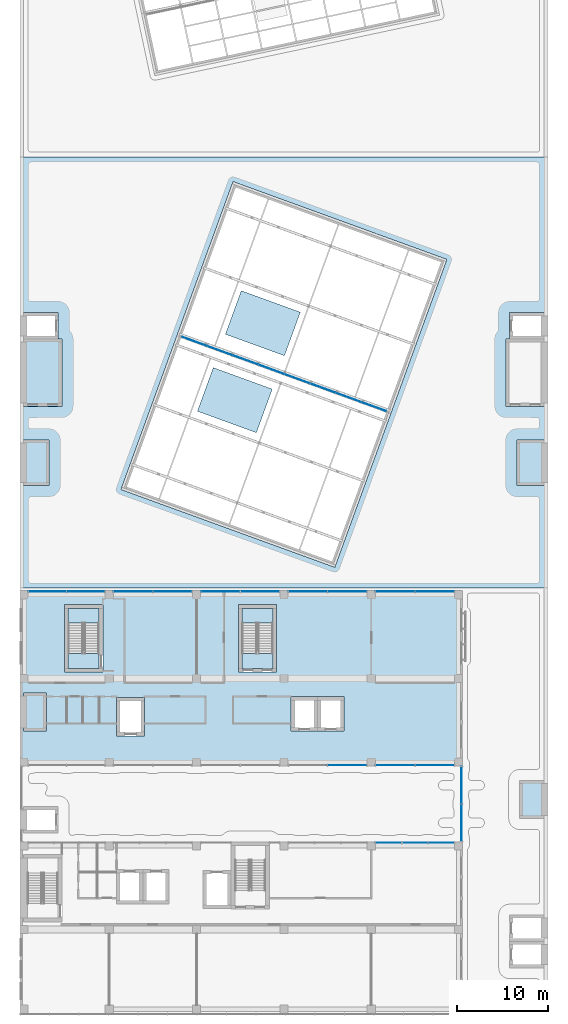
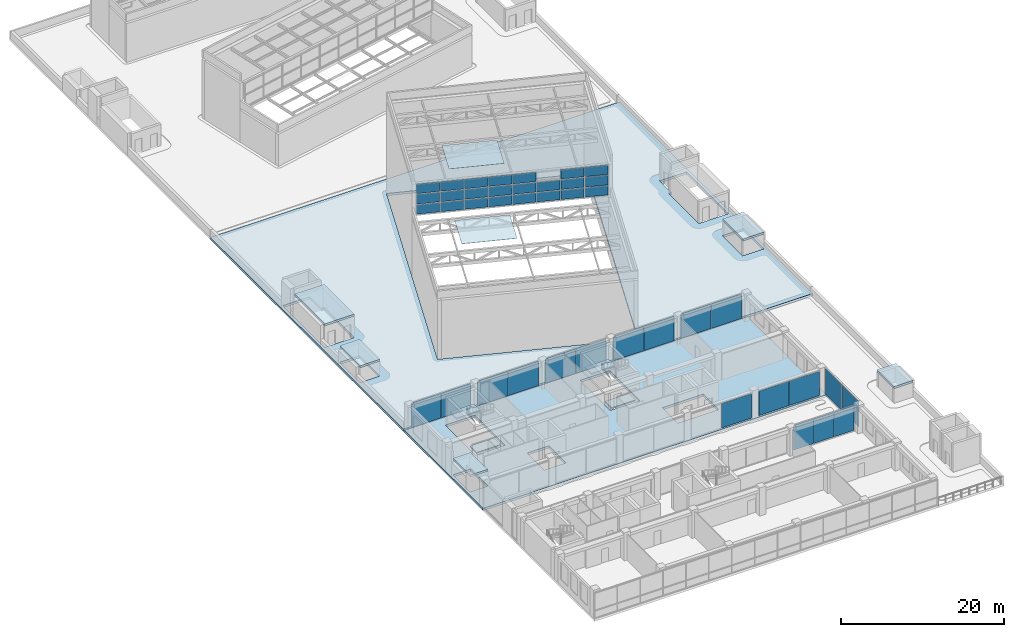
# One storey, part 56 of 72: 43 plates, 11 slabs, 12 elements without a shape of their own.
"""IFC4 building model written with IfcOpenShell, lengths in metres."""

from ifc_helpers import new_model, si_unit, direction, frame, origin, origin_2d, place, context, subcontext, project, spatial, polyline, rectangle, outline, extrude, material, layer, layer_set, type_object, element, aggregate, save


model = new_model("IFC4")

# Units and contexts
model_context = context("Model", 3, precision=1e-05, world=origin(), true_north=direction((0.0, 1.0)))
body_context = subcontext(model_context, "Body", "Model", "MODEL_VIEW")
ifc_project = project(units=[si_unit("LENGTHUNIT", "METRE"), si_unit("AREAUNIT", "SQUARE_METRE"), si_unit("VOLUMEUNIT", "CUBIC_METRE"), si_unit("PLANEANGLEUNIT", "RADIAN"), si_unit("MASSUNIT", "GRAM", prefix="KILO")], contexts=[model_context])

# Site, building, storey
site_placement = place(None, origin())
site = spatial("IfcSite", under=ifc_project, at=site_placement, CompositionType="ELEMENT")
building_placement = place(site_placement, origin())
building = spatial("IfcBuilding", under=site, at=building_placement, Name="Nzadi Deep Aquarium and Research Tower", CompositionType="ELEMENT")
storey_placement = place(building_placement, frame((0.0, 0.0, 31.89990234375)))
storey = spatial("IfcBuildingStorey", under=building, at=storey_placement, Name="L05", CompositionType="ELEMENT", Elevation=31.89990234375)

# Curtain wall, plates
ifc_material_1 = material(Name="Aluminium glazing frame tall", Category="aluminium")
ifc_layer_1 = layer(ifc_material_1, 0.199951171875)
ifc_layer_set_1 = layer_set([ifc_layer_1], Name="Aluminium glazing frame tall")
curtain_wall_type_1 = type_object("IfcCurtainWallType", Name="Curtain wall Clerestory Tall 200", PredefinedType="NOTDEFINED", material=ifc_layer_set_1)
curtain_wall_1_placement = place(storey_placement, origin())
curtain_wall_1 = element("IfcCurtainWall", 1, at=curtain_wall_1_placement, inside=storey, type_object=curtain_wall_type_1, Name="Prism clerestory glazing", PredefinedType="NOTDEFINED")
ifc_material_2 = material(Name="Glass, clear low-iron", Category="glass")
ifc_layer_2 = layer(ifc_material_2, 0.035888671875)
ifc_layer_set_2 = layer_set([ifc_layer_2], Name="Glass, clear low-iron")
plate_type_1 = type_object("IfcPlateType", Name="Glazing panel 36 Clerestory Tall", PredefinedType="CURTAIN_PANEL", material=ifc_layer_set_2)
plate_1_placement = place(storey_placement, frame((18.96923828125, 73.831298828125, 9.22021484375), z_axis=(0.0, 0.0, 1.0), x_axis=(0.939692620786, -0.342020143326, 0.0)))
plate_1 = element("IfcPlate", 2, at=plate_1_placement, type_object=plate_type_1, Name="CW257 panel 1.1", PredefinedType="CURTAIN_PANEL", context=body_context, shape_type="SweptSolid", body=[
    extrude(rectangle(XDim=2.8798828125, YDim=0.035888671875, at=origin_2d()), origin(), (0.0, 0.0, 1.0), 1.386962890625),
])
plate_2_placement = place(storey_placement, frame((18.96923828125, 73.831298828125, 10.72705078125), z_axis=(0.0, 0.0, 1.0), x_axis=(0.939692620786, -0.342020143326, 0.0)))
plate_2 = element("IfcPlate", 3, at=plate_2_placement, type_object=plate_type_1, Name="CW257 panel 1.2", PredefinedType="CURTAIN_PANEL", context=body_context, shape_type="SweptSolid", body=[
    extrude(rectangle(XDim=2.8798828125, YDim=0.035888671875, at=origin_2d()), origin(), (0.0, 0.0, 1.0), 1.446044921875),
])
plate_3_placement = place(storey_placement, frame((18.96923828125, 73.831298828125, 12.29296875), z_axis=(0.0, 0.0, 1.0), x_axis=(0.939692620786, -0.342020143326, 0.0)))
plate_3 = element("IfcPlate", 4, at=plate_3_placement, type_object=plate_type_1, Name="CW257 panel 1.3", PredefinedType="CURTAIN_PANEL", context=body_context, shape_type="SweptSolid", body=[
    extrude(rectangle(XDim=2.8798828125, YDim=0.035888671875, at=origin_2d()), origin(), (0.0, 0.0, 1.0), 1.386962890625),
])
plate_4_placement = place(storey_placement, frame((21.769287109375, 72.812255859375, 9.22021484375), z_axis=(0.0, 0.0, 1.0), x_axis=(0.939692620786, -0.342020143326, 0.0)))
plate_4 = element("IfcPlate", 5, at=plate_4_placement, type_object=plate_type_1, Name="CW257 panel 2.1", PredefinedType="CURTAIN_PANEL", context=body_context, shape_type="SweptSolid", body=[
    extrude(rectangle(XDim=2.919921875, YDim=0.035888671875, at=origin_2d()), origin(), (0.0, 0.0, 1.0), 1.386962890625),
])
plate_5_placement = place(storey_placement, frame((21.769287109375, 72.812255859375, 10.72705078125), z_axis=(0.0, 0.0, 1.0), x_axis=(0.939692620786, -0.342020143326, 0.0)))
plate_5 = element("IfcPlate", 6, at=plate_5_placement, type_object=plate_type_1, Name="CW257 panel 2.2", PredefinedType="CURTAIN_PANEL", context=body_context, shape_type="SweptSolid", body=[
    extrude(rectangle(XDim=2.919921875, YDim=0.035888671875, at=origin_2d()), origin(), (0.0, 0.0, 1.0), 1.446044921875),
])
plate_6_placement = place(storey_placement, frame((21.769287109375, 72.812255859375, 12.29296875), z_axis=(0.0, 0.0, 1.0), x_axis=(0.939692620786, -0.342020143326, 0.0)))
plate_6 = element("IfcPlate", 7, at=plate_6_placement, type_object=plate_type_1, Name="CW257 panel 2.3", PredefinedType="CURTAIN_PANEL", context=body_context, shape_type="SweptSolid", body=[
    extrude(rectangle(XDim=2.919921875, YDim=0.035888671875, at=origin_2d()), origin(), (0.0, 0.0, 1.0), 1.386962890625),
])
plate_7_placement = place(storey_placement, frame((24.58837890625, 71.7861328125, 9.22021484375), z_axis=(0.0, 0.0, 1.0), x_axis=(0.939692620786, -0.342020143326, 0.0)))
plate_7 = element("IfcPlate", 8, at=plate_7_placement, type_object=plate_type_1, Name="CW257 panel 3.1", PredefinedType="CURTAIN_PANEL", context=body_context, shape_type="SweptSolid", body=[
    extrude(rectangle(XDim=2.919921875, YDim=0.035888671875, at=origin_2d()), origin(), (0.0, 0.0, 1.0), 1.386962890625),
])
plate_8_placement = place(storey_placement, frame((24.58837890625, 71.7861328125, 10.72705078125), z_axis=(0.0, 0.0, 1.0), x_axis=(0.939692620786, -0.342020143326, 0.0)))
plate_8 = element("IfcPlate", 9, at=plate_8_placement, type_object=plate_type_1, Name="CW257 panel 3.2", PredefinedType="CURTAIN_PANEL", context=body_context, shape_type="SweptSolid", body=[
    extrude(rectangle(XDim=2.919921875, YDim=0.035888671875, at=origin_2d()), origin(), (0.0, 0.0, 1.0), 1.446044921875),
])
plate_9_placement = place(storey_placement, frame((24.58837890625, 71.7861328125, 12.29296875), z_axis=(0.0, 0.0, 1.0), x_axis=(0.939692620786, -0.342020143326, 0.0)))
plate_9 = element("IfcPlate", 10, at=plate_9_placement, type_object=plate_type_1, Name="CW257 panel 3.3", PredefinedType="CURTAIN_PANEL", context=body_context, shape_type="SweptSolid", body=[
    extrude(rectangle(XDim=2.919921875, YDim=0.035888671875, at=origin_2d()), origin(), (0.0, 0.0, 1.0), 1.386962890625),
])
plate_10_placement = place(storey_placement, frame((27.407470703125, 70.760009765625, 9.22021484375), z_axis=(0.0, 0.0, 1.0), x_axis=(0.939692620786, -0.342020143326, 0.0)))
plate_10 = element("IfcPlate", 11, at=plate_10_placement, type_object=plate_type_1, Name="CW257 panel 4.1", PredefinedType="CURTAIN_PANEL", context=body_context, shape_type="SweptSolid", body=[
    extrude(rectangle(XDim=2.919921875, YDim=0.035888671875, at=origin_2d()), origin(), (0.0, 0.0, 1.0), 1.386962890625),
])
plate_11_placement = place(storey_placement, frame((27.407470703125, 70.760009765625, 10.72705078125), z_axis=(0.0, 0.0, 1.0), x_axis=(0.939692620786, -0.342020143326, 0.0)))
plate_11 = element("IfcPlate", 12, at=plate_11_placement, type_object=plate_type_1, Name="CW257 panel 4.2", PredefinedType="CURTAIN_PANEL", context=body_context, shape_type="SweptSolid", body=[
    extrude(rectangle(XDim=2.919921875, YDim=0.035888671875, at=origin_2d()), origin(), (0.0, 0.0, 1.0), 1.446044921875),
])
plate_12_placement = place(storey_placement, frame((27.407470703125, 70.760009765625, 12.29296875), z_axis=(0.0, 0.0, 1.0), x_axis=(0.939692620786, -0.342020143326, 0.0)))
plate_12 = element("IfcPlate", 13, at=plate_12_placement, type_object=plate_type_1, Name="CW257 panel 4.3", PredefinedType="CURTAIN_PANEL", context=body_context, shape_type="SweptSolid", body=[
    extrude(rectangle(XDim=2.919921875, YDim=0.035888671875, at=origin_2d()), origin(), (0.0, 0.0, 1.0), 1.386962890625),
])
plate_13_placement = place(storey_placement, frame((30.2265625, 69.73388671875, 9.22021484375), z_axis=(0.0, 0.0, 1.0), x_axis=(0.939692620786, -0.342020143326, 0.0)))
plate_13 = element("IfcPlate", 14, at=plate_13_placement, type_object=plate_type_1, Name="CW257 panel 5.1", PredefinedType="CURTAIN_PANEL", context=body_context, shape_type="SweptSolid", body=[
    extrude(rectangle(XDim=2.919921875, YDim=0.035888671875, at=origin_2d()), origin(), (0.0, 0.0, 1.0), 1.386962890625),
])
plate_14_placement = place(storey_placement, frame((30.2265625, 69.73388671875, 10.72705078125), z_axis=(0.0, 0.0, 1.0), x_axis=(0.939692620786, -0.342020143326, 0.0)))
plate_14 = element("IfcPlate", 15, at=plate_14_placement, type_object=plate_type_1, Name="CW257 panel 5.2", PredefinedType="CURTAIN_PANEL", context=body_context, shape_type="SweptSolid", body=[
    extrude(rectangle(XDim=2.919921875, YDim=0.035888671875, at=origin_2d()), origin(), (0.0, 0.0, 1.0), 1.446044921875),
])
plate_15_placement = place(storey_placement, frame((30.2265625, 69.73388671875, 12.29296875), z_axis=(0.0, 0.0, 1.0), x_axis=(0.939692620786, -0.342020143326, 0.0)))
plate_15 = element("IfcPlate", 16, at=plate_15_placement, type_object=plate_type_1, Name="CW257 panel 5.3", PredefinedType="CURTAIN_PANEL", context=body_context, shape_type="SweptSolid", body=[
    extrude(rectangle(XDim=2.919921875, YDim=0.035888671875, at=origin_2d()), origin(), (0.0, 0.0, 1.0), 1.386962890625),
])
plate_16_placement = place(storey_placement, frame((33.045654296875, 68.7080078125, 9.22021484375), z_axis=(0.0, 0.0, 1.0), x_axis=(0.939692620786, -0.342020143326, 0.0)))
plate_16 = element("IfcPlate", 17, at=plate_16_placement, type_object=plate_type_1, Name="CW257 panel 6.1", PredefinedType="CURTAIN_PANEL", context=body_context, shape_type="SweptSolid", body=[
    extrude(rectangle(XDim=2.919921875, YDim=0.035888671875, at=origin_2d()), origin(), (0.0, 0.0, 1.0), 1.386962890625),
])
plate_17_placement = place(storey_placement, frame((33.045654296875, 68.7080078125, 10.72705078125), z_axis=(0.0, 0.0, 1.0), x_axis=(0.939692620786, -0.342020143326, 0.0)))
plate_17 = element("IfcPlate", 18, at=plate_17_placement, type_object=plate_type_1, Name="CW257 panel 6.2", PredefinedType="CURTAIN_PANEL", context=body_context, shape_type="SweptSolid", body=[
    extrude(rectangle(XDim=2.919921875, YDim=0.035888671875, at=origin_2d()), origin(), (0.0, 0.0, 1.0), 1.446044921875),
])
plate_18_placement = place(storey_placement, frame((35.86474609375, 67.681884765625, 9.22021484375), z_axis=(0.0, 0.0, 1.0), x_axis=(0.939692620786, -0.342020143326, 0.0)))
plate_18 = element("IfcPlate", 19, at=plate_18_placement, type_object=plate_type_1, Name="CW257 panel 7.1", PredefinedType="CURTAIN_PANEL", context=body_context, shape_type="SweptSolid", body=[
    extrude(rectangle(XDim=2.919921875, YDim=0.035888671875, at=origin_2d()), origin(), (0.0, 0.0, 1.0), 1.386962890625),
])
plate_19_placement = place(storey_placement, frame((35.86474609375, 67.681884765625, 10.72705078125), z_axis=(0.0, 0.0, 1.0), x_axis=(0.939692620786, -0.342020143326, 0.0)))
plate_19 = element("IfcPlate", 20, at=plate_19_placement, type_object=plate_type_1, Name="CW257 panel 7.2", PredefinedType="CURTAIN_PANEL", context=body_context, shape_type="SweptSolid", body=[
    extrude(rectangle(XDim=2.919921875, YDim=0.035888671875, at=origin_2d()), origin(), (0.0, 0.0, 1.0), 1.446044921875),
])
plate_20_placement = place(storey_placement, frame((35.86474609375, 67.681884765625, 12.29296875), z_axis=(0.0, 0.0, 1.0), x_axis=(0.939692620786, -0.342020143326, 0.0)))
plate_20 = element("IfcPlate", 21, at=plate_20_placement, type_object=plate_type_1, Name="CW257 panel 7.3", PredefinedType="CURTAIN_PANEL", context=body_context, shape_type="SweptSolid", body=[
    extrude(rectangle(XDim=2.919921875, YDim=0.035888671875, at=origin_2d()), origin(), (0.0, 0.0, 1.0), 1.386962890625),
])
plate_21_placement = place(storey_placement, frame((38.6650390625, 66.66259765625, 9.22021484375), z_axis=(0.0, 0.0, 1.0), x_axis=(0.939692620786, -0.342020143326, 0.0)))
plate_21 = element("IfcPlate", 22, at=plate_21_placement, type_object=plate_type_1, Name="CW257 panel 8.1", PredefinedType="CURTAIN_PANEL", context=body_context, shape_type="SweptSolid", body=[
    extrude(rectangle(XDim=2.8798828125, YDim=0.035888671875, at=origin_2d()), origin(), (0.0, 0.0, 1.0), 1.386962890625),
])
plate_22_placement = place(storey_placement, frame((38.6650390625, 66.66259765625, 10.72705078125), z_axis=(0.0, 0.0, 1.0), x_axis=(0.939692620786, -0.342020143326, 0.0)))
plate_22 = element("IfcPlate", 23, at=plate_22_placement, type_object=plate_type_1, Name="CW257 panel 8.2", PredefinedType="CURTAIN_PANEL", context=body_context, shape_type="SweptSolid", body=[
    extrude(rectangle(XDim=2.8798828125, YDim=0.035888671875, at=origin_2d()), origin(), (0.0, 0.0, 1.0), 1.446044921875),
])
plate_23_placement = place(storey_placement, frame((38.6650390625, 66.66259765625, 12.29296875), z_axis=(0.0, 0.0, 1.0), x_axis=(0.939692620786, -0.342020143326, 0.0)))
plate_23 = element("IfcPlate", 24, at=plate_23_placement, type_object=plate_type_1, Name="CW257 panel 8.3", PredefinedType="CURTAIN_PANEL", context=body_context, shape_type="SweptSolid", body=[
    extrude(rectangle(XDim=2.8798828125, YDim=0.035888671875, at=origin_2d()), origin(), (0.0, 0.0, 1.0), 1.386962890625),
])
aggregate(curtain_wall_1, [plate_1, plate_2, plate_3, plate_4, plate_5, plate_6, plate_7, plate_8, plate_9, plate_10, plate_11, plate_12, plate_13, plate_14, plate_15, plate_16, plate_17, plate_18, plate_19, plate_20, plate_21, plate_22, plate_23])

ifc_material_3 = material(Name="Aluminium unitised frame", Category="aluminium")
ifc_layer_3 = layer(ifc_material_3, 0.199951171875)
ifc_layer_set_3 = layer_set([ifc_layer_3], Name="Aluminium unitised frame")
curtain_wall_type_2 = type_object("IfcCurtainWallType", Name="Curtain wall Unitised 200", PredefinedType="NOTDEFINED", material=ifc_layer_set_3)
curtain_wall_2_placement = place(storey_placement, origin())
curtain_wall_2 = element("IfcCurtainWall", 25, at=curtain_wall_2_placement, inside=storey, type_object=curtain_wall_type_2, Name="Unitised curtain wall blade A north L05", PredefinedType="NOTDEFINED")
ifc_material_4 = material(Name="Glass, sage tint", Category="glass")
ifc_layer_4 = layer(ifc_material_4, 0.035888671875)
ifc_layer_set_4 = layer_set([ifc_layer_4], Name="Glass, sage tint")
plate_type_2 = type_object("IfcPlateType", Name="Glazing panel 36 Unitised", PredefinedType="CURTAIN_PANEL", material=ifc_layer_set_4)
plate_24_placement = place(storey_placement, frame((40.31494140625, 18.75, 0.1201171875), z_axis=(0.0, 0.0, 1.0), x_axis=(1.0, 0.0, 0.0)))
plate_24 = element("IfcPlate", 26, at=plate_24_placement, type_object=plate_type_2, Name="CW007 panel 1.1", PredefinedType="CURTAIN_PANEL", context=body_context, shape_type="SweptSolid", body=[
    extrude(rectangle(XDim=2.81005859375, YDim=0.035888671875, at=origin_2d()), origin(), (0.0, 0.0, 1.0), 3.659912109375),
])
plate_25_placement = place(storey_placement, frame((43.199951171875, 18.75, 0.1201171875), z_axis=(0.0, 0.0, 1.0), x_axis=(1.0, 0.0, 0.0)))
plate_25 = element("IfcPlate", 27, at=plate_25_placement, type_object=plate_type_2, Name="CW007 panel 2.1", PredefinedType="CURTAIN_PANEL", context=body_context, shape_type="SweptSolid", body=[
    extrude(rectangle(XDim=2.840087890625, YDim=0.035888671875, at=origin_2d()), origin(), (0.0, 0.0, 1.0), 3.659912109375),
])
plate_26_placement = place(storey_placement, frame((46.0849609375, 18.75, 0.1201171875), z_axis=(0.0, 0.0, 1.0), x_axis=(1.0, 0.0, 0.0)))
plate_26 = element("IfcPlate", 28, at=plate_26_placement, type_object=plate_type_2, Name="CW007 panel 3.1", PredefinedType="CURTAIN_PANEL", context=body_context, shape_type="SweptSolid", body=[
    extrude(rectangle(XDim=2.81005859375, YDim=0.035888671875, at=origin_2d()), origin(), (0.0, 0.0, 1.0), 3.659912109375),
])
aggregate(curtain_wall_2, [plate_24, plate_25, plate_26])

# Curtain wall, plate
ifc_material_5 = material(Name="Aluminium unitised frame deep", Category="aluminium")
ifc_layer_5 = layer(ifc_material_5, 0.22509765625)
ifc_layer_set_5 = layer_set([ifc_layer_5], Name="Aluminium unitised frame deep")
curtain_wall_type_3 = type_object("IfcCurtainWallType", Name="Curtain wall Unitised Deep 225", PredefinedType="NOTDEFINED", material=ifc_layer_set_5)
curtain_wall_3_placement = place(storey_placement, origin())
curtain_wall_3 = element("IfcCurtainWall", 29, at=curtain_wall_3_placement, inside=storey, type_object=curtain_wall_type_3, Name="Unitised curtain wall blade B south L05", PredefinedType="NOTDEFINED")
ifc_material_6 = material(Name="Glass, sage tint", Category="glass")
ifc_layer_6 = layer(ifc_material_6, 0.0400390625)
ifc_layer_set_6 = layer_set([ifc_layer_6], Name="Glass, sage tint")
plate_type_3 = type_object("IfcPlateType", Name="Glazing panel 40 Unitised Deep", PredefinedType="CURTAIN_PANEL", material=ifc_layer_set_6)
plate_27_placement = place(storey_placement, frame((35.760009765625, 27.262451171875, 0.14013671875), z_axis=(0.0, 0.0, 1.0), x_axis=(1.0, 0.0, 0.0)))
plate_27 = element("IfcPlate", 30, at=plate_27_placement, type_object=plate_type_3, Name="CW081 panel 2.1", PredefinedType="CURTAIN_PANEL", context=body_context, shape_type="SweptSolid", body=[
    extrude(rectangle(XDim=4.260009765625, YDim=0.0400390625, at=origin_2d()), origin(), (0.0, 0.0, 1.0), 3.6201171875),
])
aggregate(curtain_wall_3, [plate_27])

# Curtain wall, plates
curtain_wall_4_placement = place(storey_placement, origin())
curtain_wall_4 = element("IfcCurtainWall", 31, at=curtain_wall_4_placement, inside=storey, type_object=curtain_wall_type_3, Name="Unitised curtain wall blade B south L05", PredefinedType="NOTDEFINED")
plate_28_placement = place(storey_placement, frame((41.0400390625, 27.262451171875, 0.14013671875), z_axis=(0.0, 0.0, 1.0), x_axis=(1.0, 0.0, 0.0)))
plate_28 = element("IfcPlate", 32, at=plate_28_placement, type_object=plate_type_3, Name="CW082 panel 1.1", PredefinedType="CURTAIN_PANEL", context=body_context, shape_type="SweptSolid", body=[
    extrude(rectangle(XDim=4.260009765625, YDim=0.0400390625, at=origin_2d()), origin(), (0.0, 0.0, 1.0), 3.6201171875),
])
plate_29_placement = place(storey_placement, frame((45.360107421875, 27.262451171875, 0.14013671875), z_axis=(0.0, 0.0, 1.0), x_axis=(1.0, 0.0, 0.0)))
plate_29 = element("IfcPlate", 33, at=plate_29_placement, type_object=plate_type_3, Name="CW082 panel 2.1", PredefinedType="CURTAIN_PANEL", context=body_context, shape_type="SweptSolid", body=[
    extrude(rectangle(XDim=4.260009765625, YDim=0.0400390625, at=origin_2d()), origin(), (0.0, 0.0, 1.0), 3.6201171875),
])
aggregate(curtain_wall_4, [plate_28, plate_29])

curtain_wall_5_placement = place(storey_placement, origin())
curtain_wall_5 = element("IfcCurtainWall", 34, at=curtain_wall_5_placement, inside=storey, type_object=curtain_wall_type_3, Name="Unitised curtain wall blade B north L05", PredefinedType="NOTDEFINED")
plate_30_placement = place(storey_placement, frame((2.827392578125, 46.33740234375, 0.14013671875), z_axis=(0.0, 0.0, 1.0), x_axis=(1.0, 0.0, 0.0)))
plate_30 = element("IfcPlate", 35, at=plate_30_placement, type_object=plate_type_3, Name="CW083 panel 1.1", PredefinedType="CURTAIN_PANEL", context=body_context, shape_type="SweptSolid", body=[
    extrude(rectangle(XDim=4.135009765625, YDim=0.0400390625, at=origin_2d()), origin(), (0.0, 0.0, 1.0), 3.6201171875),
])
plate_31_placement = place(storey_placement, frame((7.0224609375, 46.33740234375, 0.14013671875), z_axis=(0.0, 0.0, 1.0), x_axis=(1.0, 0.0, 0.0)))
plate_31 = element("IfcPlate", 36, at=plate_31_placement, type_object=plate_type_3, Name="CW083 panel 2.1", PredefinedType="CURTAIN_PANEL", context=body_context, shape_type="SweptSolid", body=[
    extrude(rectangle(XDim=4.135009765625, YDim=0.0400390625, at=origin_2d()), origin(), (0.0, 0.0, 1.0), 3.6201171875),
])
aggregate(curtain_wall_5, [plate_30, plate_31])

curtain_wall_6_placement = place(storey_placement, origin())
curtain_wall_6 = element("IfcCurtainWall", 37, at=curtain_wall_6_placement, inside=storey, type_object=curtain_wall_type_3, Name="Unitised curtain wall blade B north L05", PredefinedType="NOTDEFINED")
plate_32_placement = place(storey_placement, frame((12.239990234375, 46.33740234375, 0.14013671875), z_axis=(0.0, 0.0, 1.0), x_axis=(1.0, 0.0, 0.0)))
plate_32 = element("IfcPlate", 38, at=plate_32_placement, type_object=plate_type_3, Name="CW084 panel 1.1", PredefinedType="CURTAIN_PANEL", context=body_context, shape_type="SweptSolid", body=[
    extrude(rectangle(XDim=4.260009765625, YDim=0.0400390625, at=origin_2d()), origin(), (0.0, 0.0, 1.0), 3.6201171875),
])
plate_33_placement = place(storey_placement, frame((16.56005859375, 46.33740234375, 0.14013671875), z_axis=(0.0, 0.0, 1.0), x_axis=(1.0, 0.0, 0.0)))
plate_33 = element("IfcPlate", 39, at=plate_33_placement, type_object=plate_type_3, Name="CW084 panel 2.1", PredefinedType="CURTAIN_PANEL", context=body_context, shape_type="SweptSolid", body=[
    extrude(rectangle(XDim=4.260009765625, YDim=0.0400390625, at=origin_2d()), origin(), (0.0, 0.0, 1.0), 3.6201171875),
])
aggregate(curtain_wall_6, [plate_32, plate_33])

curtain_wall_7_placement = place(storey_placement, origin())
curtain_wall_7 = element("IfcCurtainWall", 40, at=curtain_wall_7_placement, inside=storey, type_object=curtain_wall_type_3, Name="Unitised curtain wall blade B north L05", PredefinedType="NOTDEFINED")
plate_34_placement = place(storey_placement, frame((21.840087890625, 46.33740234375, 0.14013671875), z_axis=(0.0, 0.0, 1.0), x_axis=(1.0, 0.0, 0.0)))
plate_34 = element("IfcPlate", 41, at=plate_34_placement, type_object=plate_type_3, Name="CW085 panel 1.1", PredefinedType="CURTAIN_PANEL", context=body_context, shape_type="SweptSolid", body=[
    extrude(rectangle(XDim=4.260009765625, YDim=0.0400390625, at=origin_2d()), origin(), (0.0, 0.0, 1.0), 3.6201171875),
])
plate_35_placement = place(storey_placement, frame((26.159912109375, 46.33740234375, 0.14013671875), z_axis=(0.0, 0.0, 1.0), x_axis=(1.0, 0.0, 0.0)))
plate_35 = element("IfcPlate", 42, at=plate_35_placement, type_object=plate_type_3, Name="CW085 panel 2.1", PredefinedType="CURTAIN_PANEL", context=body_context, shape_type="SweptSolid", body=[
    extrude(rectangle(XDim=4.260009765625, YDim=0.0400390625, at=origin_2d()), origin(), (0.0, 0.0, 1.0), 3.6201171875),
])
aggregate(curtain_wall_7, [plate_34, plate_35])

curtain_wall_8_placement = place(storey_placement, origin())
curtain_wall_8 = element("IfcCurtainWall", 43, at=curtain_wall_8_placement, inside=storey, type_object=curtain_wall_type_3, Name="Unitised curtain wall blade B north L05", PredefinedType="NOTDEFINED")
plate_36_placement = place(storey_placement, frame((31.43994140625, 46.33740234375, 0.14013671875), z_axis=(0.0, 0.0, 1.0), x_axis=(1.0, 0.0, 0.0)))
plate_36 = element("IfcPlate", 44, at=plate_36_placement, type_object=plate_type_3, Name="CW086 panel 1.1", PredefinedType="CURTAIN_PANEL", context=body_context, shape_type="SweptSolid", body=[
    extrude(rectangle(XDim=4.260009765625, YDim=0.0400390625, at=origin_2d()), origin(), (0.0, 0.0, 1.0), 3.6201171875),
])
plate_37_placement = place(storey_placement, frame((35.760009765625, 46.33740234375, 0.14013671875), z_axis=(0.0, 0.0, 1.0), x_axis=(1.0, 0.0, 0.0)))
plate_37 = element("IfcPlate", 45, at=plate_37_placement, type_object=plate_type_3, Name="CW086 panel 2.1", PredefinedType="CURTAIN_PANEL", context=body_context, shape_type="SweptSolid", body=[
    extrude(rectangle(XDim=4.260009765625, YDim=0.0400390625, at=origin_2d()), origin(), (0.0, 0.0, 1.0), 3.6201171875),
])
aggregate(curtain_wall_8, [plate_36, plate_37])

curtain_wall_9_placement = place(storey_placement, origin())
curtain_wall_9 = element("IfcCurtainWall", 46, at=curtain_wall_9_placement, inside=storey, type_object=curtain_wall_type_3, Name="Unitised curtain wall blade B north L05", PredefinedType="NOTDEFINED")
plate_38_placement = place(storey_placement, frame((41.0400390625, 46.33740234375, 0.14013671875), z_axis=(0.0, 0.0, 1.0), x_axis=(1.0, 0.0, 0.0)))
plate_38 = element("IfcPlate", 47, at=plate_38_placement, type_object=plate_type_3, Name="CW087 panel 1.1", PredefinedType="CURTAIN_PANEL", context=body_context, shape_type="SweptSolid", body=[
    extrude(rectangle(XDim=4.260009765625, YDim=0.0400390625, at=origin_2d()), origin(), (0.0, 0.0, 1.0), 3.6201171875),
])
plate_39_placement = place(storey_placement, frame((45.360107421875, 46.33740234375, 0.14013671875), z_axis=(0.0, 0.0, 1.0), x_axis=(1.0, 0.0, 0.0)))
plate_39 = element("IfcPlate", 48, at=plate_39_placement, type_object=plate_type_3, Name="CW087 panel 2.1", PredefinedType="CURTAIN_PANEL", context=body_context, shape_type="SweptSolid", body=[
    extrude(rectangle(XDim=4.260009765625, YDim=0.0400390625, at=origin_2d()), origin(), (0.0, 0.0, 1.0), 3.6201171875),
])
aggregate(curtain_wall_9, [plate_38, plate_39])

ifc_material_7 = material(Name="Aluminium unitised frame wind post", Category="aluminium")
ifc_layer_7 = layer(ifc_material_7, 0.300048828125)
ifc_layer_set_7 = layer_set([ifc_layer_7], Name="Aluminium unitised frame wind post")
curtain_wall_type_4 = type_object("IfcCurtainWallType", Name="Curtain wall Slot End 300", PredefinedType="NOTDEFINED", material=ifc_layer_set_7)
curtain_wall_10_placement = place(storey_placement, origin())
curtain_wall_10 = element("IfcCurtainWall", 49, at=curtain_wall_10_placement, inside=storey, type_object=curtain_wall_type_4, Name="Glazed slot end east L05", PredefinedType="NOTDEFINED")
ifc_material_8 = material(Name="Glass, sage tint", Category="glass")
ifc_layer_8 = layer(ifc_material_8, 0.0439453125)
ifc_layer_set_8 = layer_set([ifc_layer_8], Name="Glass, sage tint")
plate_type_4 = type_object("IfcPlateType", Name="Glazing panel 44 Slot End", PredefinedType="CURTAIN_PANEL", material=ifc_layer_set_8)
plate_40_placement = place(storey_placement, frame((48.300048828125, 20.93994140625, 0.16015625), z_axis=(0.0, 0.0, 1.0), x_axis=(0.0, 1.0, 0.0)))
plate_40 = element("IfcPlate", 50, at=plate_40_placement, type_object=plate_type_4, Name="CW202 panel 1.1", PredefinedType="CURTAIN_PANEL", context=body_context, shape_type="SweptSolid", body=[
    extrude(rectangle(XDim=4.06005859375, YDim=0.0439453125, at=origin_2d()), origin(), (0.0, 0.0, 1.0), 3.8798828125),
])
plate_41_placement = place(storey_placement, frame((48.300048828125, 25.06005859375, 0.16015625), z_axis=(0.0, 0.0, 1.0), x_axis=(0.0, 1.0, 0.0)))
plate_41 = element("IfcPlate", 51, at=plate_41_placement, type_object=plate_type_4, Name="CW202 panel 2.1", PredefinedType="CURTAIN_PANEL", context=body_context, shape_type="SweptSolid", body=[
    extrude(rectangle(XDim=4.06005859375, YDim=0.0439453125, at=origin_2d()), origin(), (0.0, 0.0, 1.0), 3.8798828125),
])
aggregate(curtain_wall_10, [plate_40, plate_41])

# Slabs
ifc_material_9 = material(Name="Concrete C35/45", Category="concrete")
ifc_layer_9 = layer(ifc_material_9, 0.300048828125)
ifc_layer_set_9 = layer_set([ifc_layer_9], Name="Concrete C35/45")
slab_type_1 = type_object("IfcSlabType", Name="Head slab 300", PredefinedType="ROOF", material=ifc_layer_set_9)
slab_1_placement = place(storey_placement, frame((0.0, 0.0, 2.2001953125)))
element("IfcSlab", 52, at=slab_1_placement, inside=storey, type_object=slab_type_1, Name="Head slab RS-Z1-W", PredefinedType="ROOF", context=body_context, shape_type="SweptSolid", body=[
    extrude(outline(polyline([(2.699951171875, 31.0), (2.699951171875, 35.199951171875), (0.199951171875, 35.199951171875), (0.199951171875, 31.0), (2.699951171875, 31.0)])), origin(), (0.0, 0.0, 1.0), 0.2998046875),
])
slab_2_placement = place(storey_placement, frame((0.0, 0.0, 2.2001953125)))
element("IfcSlab", 53, at=slab_2_placement, inside=storey, type_object=slab_type_1, Name="Head slab RS-Z1-E", PredefinedType="ROOF", context=body_context, shape_type="SweptSolid", body=[
    extrude(outline(polyline([(57.39990234375, 21.39990234375), (57.39990234375, 25.60009765625), (54.699951171875, 25.60009765625), (54.699951171875, 21.39990234375), (57.39990234375, 21.39990234375)])), origin(), (0.0, 0.0, 1.0), 0.2998046875),
])
slab_3_placement = place(storey_placement, frame((0.0, 0.0, 3.2001953125)))
element("IfcSlab", 54, at=slab_3_placement, inside=storey, type_object=slab_type_1, Name="Head slab ST-Z2-W", PredefinedType="ROOF", context=body_context, shape_type="SweptSolid", body=[
    extrude(outline(polyline([(4.39990234375, 66.699951171875), (4.39990234375, 74.10009765625), (0.199951171875, 74.10009765625), (0.199951171875, 66.699951171875), (4.39990234375, 66.699951171875)])), origin(), (0.0, 0.0, 1.0), 0.2998046875),
])
slab_4_placement = place(storey_placement, frame((0.0, 0.0, 2.2001953125)))
element("IfcSlab", 55, at=slab_4_placement, inside=storey, type_object=slab_type_1, Name="Head slab RS-Z2-W", PredefinedType="ROOF", context=body_context, shape_type="SweptSolid", body=[
    extrude(outline(polyline([(3.0, 58.0), (3.0, 63.0), (0.199951171875, 63.0), (0.199951171875, 58.0), (3.0, 58.0)])), origin(), (0.0, 0.0, 1.0), 0.2998046875),
])
slab_5_placement = place(storey_placement, frame((0.0, 0.0, 2.2001953125)))
element("IfcSlab", 56, at=slab_5_placement, inside=storey, type_object=slab_type_1, Name="Head slab RS-Z2-E", PredefinedType="ROOF", context=body_context, shape_type="SweptSolid", body=[
    extrude(outline(polyline([(57.39990234375, 58.0), (57.39990234375, 63.0), (54.39990234375, 63.0), (54.39990234375, 58.0), (57.39990234375, 58.0)])), origin(), (0.0, 0.0, 1.0), 0.2998046875),
])

# Stair, slabs
ifc_material_10 = material(Name="Concrete C35/45", Category="concrete")
stair_type = type_object("IfcStairType", Name="STAIR RETURN 3000", PredefinedType="NOTDEFINED", material=ifc_material_10)
stair_1_placement = place(storey_placement, origin())
stair_1 = element("IfcStair", 57, at=stair_1_placement, inside=storey, type_object=stair_type, Name="Stair ST-Z1-NW L05", PredefinedType="HALF_TURN_STAIR")
ifc_material_11 = material(Name="Concrete C35/45", Category="concrete")
ifc_layer_10 = layer(ifc_material_11, 0.199951171875)
ifc_layer_set_10 = layer_set([ifc_layer_10], Name="Concrete C35/45")
slab_type_2 = type_object("IfcSlabType", Name="LANDING 200", PredefinedType="LANDING", material=ifc_layer_set_10)
slab_6_placement = place(storey_placement, frame((0.0, 0.0, -0.199951171875)))
slab_6 = element("IfcSlab", 58, at=slab_6_placement, type_object=slab_type_2, Name="ST-Z1-NW landing 1", PredefinedType="LANDING", context=body_context, shape_type="SweptSolid", body=[
    extrude(outline(polyline([(5.10009765625, 37.89990234375), (8.5, 37.89990234375), (8.5, 39.52001953125), (5.10009765625, 39.52001953125), (5.10009765625, 37.89990234375)])), origin(), (0.0, 0.0, 1.0), 0.199951171875),
])
slab_7_placement = place(storey_placement, frame((0.0, 0.0, 1.900146484375)))
slab_7 = element("IfcSlab", 59, at=slab_7_placement, type_object=slab_type_2, Name="ST-Z1-NW landing 2", PredefinedType="LANDING", context=body_context, shape_type="SweptSolid", body=[
    extrude(outline(polyline([(5.10009765625, 42.8798828125), (8.5, 42.8798828125), (8.5, 44.5), (5.10009765625, 44.5), (5.10009765625, 42.8798828125)])), origin(), (0.0, 0.0, 1.0), 0.199951171875),
])
aggregate(stair_1, [slab_6, slab_7])

stair_2_placement = place(storey_placement, origin())
stair_2 = element("IfcStair", 60, at=stair_2_placement, inside=storey, type_object=stair_type, Name="Stair ST-Z1-NE L05", PredefinedType="HALF_TURN_STAIR")
slab_8_placement = place(storey_placement, frame((0.0, 0.0, -0.199951171875)))
slab_8 = element("IfcSlab", 61, at=slab_8_placement, type_object=slab_type_2, Name="ST-Z1-NE landing 1", PredefinedType="LANDING", context=body_context, shape_type="SweptSolid", body=[
    extrude(outline(polyline([(24.199951171875, 37.89990234375), (27.60009765625, 37.89990234375), (27.60009765625, 39.52001953125), (24.199951171875, 39.52001953125), (24.199951171875, 37.89990234375)])), origin(), (0.0, 0.0, 1.0), 0.199951171875),
])
slab_9_placement = place(storey_placement, frame((0.0, 0.0, 1.900146484375)))
slab_9 = element("IfcSlab", 62, at=slab_9_placement, type_object=slab_type_2, Name="ST-Z1-NE landing 2", PredefinedType="LANDING", context=body_context, shape_type="SweptSolid", body=[
    extrude(outline(polyline([(24.199951171875, 42.8798828125), (27.60009765625, 42.8798828125), (27.60009765625, 44.5), (24.199951171875, 44.5), (24.199951171875, 42.8798828125)])), origin(), (0.0, 0.0, 1.0), 0.199951171875),
])
aggregate(stair_2, [slab_8, slab_9])

# Slabs
ifc_material_12 = material(Name="Concrete C35/45", Category="concrete")
ifc_layer_11 = layer(ifc_material_12, 0.35009765625)
ifc_layer_set_11 = layer_set([ifc_layer_11], Name="Concrete C35/45")
slab_type_3 = type_object("IfcSlabType", Name="RC floor slab 350", PredefinedType="FLOOR", material=ifc_layer_set_11)
slab_10_placement = place(storey_placement, frame((0.0, 0.0, -0.349853515625)))
element("IfcSlab", 63, at=slab_10_placement, inside=storey, type_object=slab_type_3, Name="Tower floor B L05", PredefinedType="FLOOR", context=body_context, shape_type="SweptSolid", body=[
    extrude(outline(polyline([(-0.199462890625, 46.449951171875), (-0.199462890625, 27.14990234375), (48.449951171875, 27.14990234375), (48.449951171875, 46.449951171875), (-0.199462890625, 46.449951171875)]), holes=[polyline([(4.699951171875, 44.89990234375), (8.89990234375, 44.89990234375), (8.89990234375, 37.5), (4.699951171875, 37.5), (4.699951171875, 44.89990234375)]), polyline([(28.0, 44.89990234375), (28.0, 37.5), (23.800048828125, 37.5), (23.800048828125, 44.89990234375), (28.0, 44.89990234375)]), polyline([(2.699951171875, 31.0), (0.199951171875, 31.0), (0.199951171875, 35.199951171875), (2.699951171875, 35.199951171875), (2.699951171875, 31.0)]), polyline([(10.39990234375, 30.5), (10.39990234375, 34.699951171875), (13.5, 34.699951171875), (13.5, 30.5), (10.39990234375, 30.5)]), polyline([(29.60009765625, 34.800048828125), (32.5, 34.800048828125), (35.39990234375, 34.800048828125), (35.39990234375, 31.0), (32.5, 31.0), (29.60009765625, 31.0), (29.60009765625, 34.800048828125)])]), origin(), (0.0, 0.0, 1.0), 0.349853515625),
])
ifc_material_13 = material(Name="Concrete C35/45", Category="concrete")
ifc_layer_12 = layer(ifc_material_13, 0.35009765625)
ifc_layer_set_12 = layer_set([ifc_layer_12], Name="Concrete C35/45")
slab_type_4 = type_object("IfcSlabType", Name="RC roof slab 350", PredefinedType="ROOF", material=ifc_layer_set_12)
slab_11_placement = place(storey_placement, frame((0.0, 0.0, -0.349853515625)))
element("IfcSlab", 64, at=slab_11_placement, inside=storey, type_object=slab_type_4, Name="Garden terrace slab Z2", PredefinedType="ROOF", context=body_context, shape_type="SweptSolid", body=[
    extrude(outline(polyline([(57.799560546875, 94.080078125), (-0.199462890625, 94.080078125), (-0.199462890625, 46.719970703125), (57.799560546875, 46.719970703125), (57.799560546875, 94.080078125)]), holes=[polyline([(4.0, 77.0), (4.0, 74.10009765625), (4.39990234375, 74.10009765625), (4.39990234375, 66.699951171875), (0.199951171875, 66.699951171875), (0.199951171875, 74.10009765625), (0.199951171875, 77.0), (4.0, 77.0)]), polyline([(57.39990234375, 77.0), (57.39990234375, 74.10009765625), (57.39990234375, 66.699951171875), (53.199951171875, 66.699951171875), (53.199951171875, 74.10009765625), (53.60009765625, 74.10009765625), (53.60009765625, 77.0), (57.39990234375, 77.0)]), polyline([(0.199951171875, 58.0), (0.199951171875, 63.0), (3.0, 63.0), (3.0, 58.0), (0.199951171875, 58.0)]), polyline([(54.39990234375, 63.0), (57.39990234375, 63.0), (57.39990234375, 58.0), (54.39990234375, 58.0), (54.39990234375, 63.0)]), polyline([(34.389892578125, 49.01025390625), (10.8974609375, 57.560791015625), (23.210205078125, 91.3896484375), (46.70263671875, 82.839111328125), (34.389892578125, 49.01025390625)])]), origin(), (0.0, 0.0, 1.0), 0.349853515625),
])

# Plates
ifc_material_14 = material(Name="Glass", Category="glass")
ifc_layer_13 = layer(ifc_material_14, 0.0400390625)
ifc_layer_set_13 = layer_set([ifc_layer_13], Name="Glass")
plate_type_5 = type_object("IfcPlateType", Name="Rooflight glass 40", PredefinedType="SHEET", material=ifc_layer_set_13)
for number, where, z_axis, x_axis, name in (
    (65, (23.408203125, 67.373779296875, 9.10009765625), (0.0, 0.0, 1.0), (0.939692620786, -0.342020143326, 0.0), "PL-RL-P1"),
    (66, (26.486328125, 75.830810546875, 14.10009765625), (0.0, 0.0, 1.0), (0.939692620786, -0.342020143326, 0.0), "PL-RL-P2"),
):
    element("IfcPlate", number, at=place(storey_placement, frame(where, z_axis=z_axis, x_axis=x_axis)), inside=storey, type_object=plate_type_5, Name=name, PredefinedType="SHEET", context=body_context, shape_type="SweptSolid", body=[
        extrude(rectangle(XDim=6.89990234375, YDim=5.10009765625, at=origin_2d()), origin(), (0.0, 0.0, 1.0), 0.0400390625),
    ])

save(model, "model.ifc")
